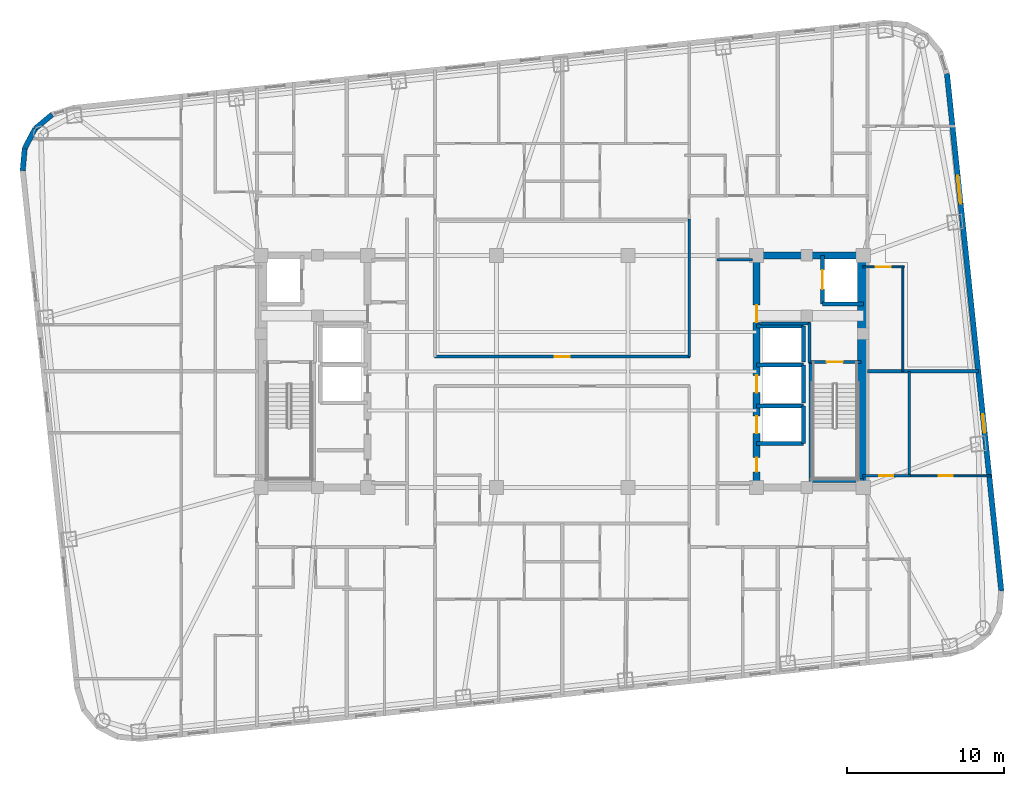
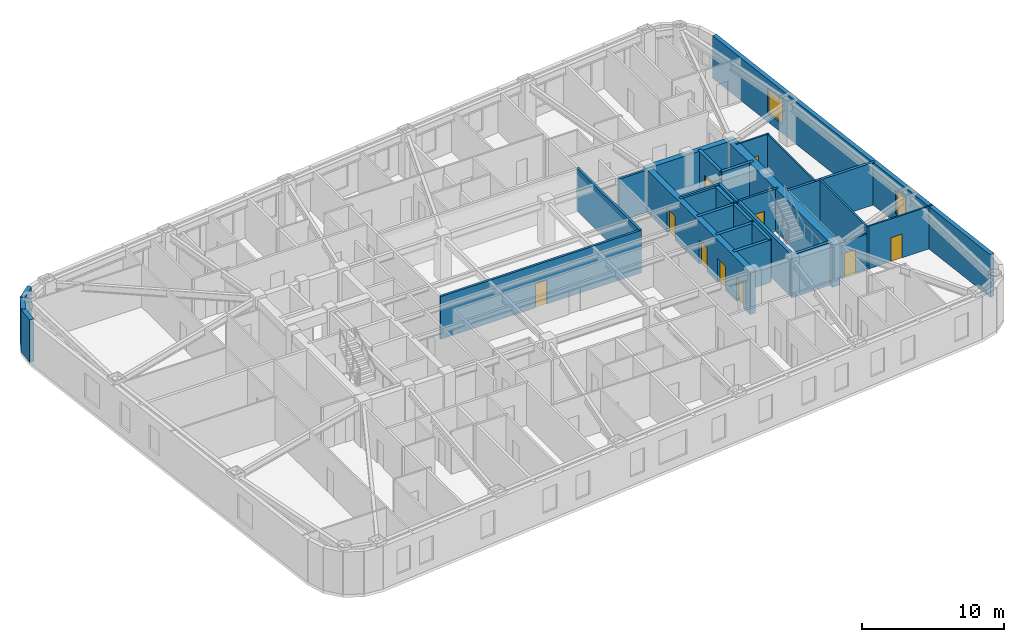
# One storey, part 6 of 11: 30 walls, 10 doors, 2 windows, 12 openings.
"""IFC4 building model written with IfcOpenShell, lengths in metres."""

import ifcopenshell
import ifcopenshell.guid

model = None  # the IFC model being written
_history = None  # IfcOwnerHistory: only IFC2X3 demands one
_inside = {}  # id of a spatial element -> (the spatial element, [elements in it])
_under = {}  # id of a project, library or spatial element -> (it, [spatial elements below it])
_declared = {}  # id of a project -> (the project, [libraries it declares])
_typed = {}  # id of a type object -> (the type object, [elements of that type])
_made_of = {}  # id of a material, layer set ... -> (it, [elements and type objects made of it])


def new_model(schema):
    """Start an empty IFC model of exactly this schema.

    Asked for "IFC4X3", IfcOpenShell would pick the latest addendum, in which some entities
    have other attributes; the version numbers below select the first issue.
    IFC2X3 requires an IfcOwnerHistory on every rooted entity: one is made here for all.
    """
    global model, _history
    if schema == "IFC4X3":
        model = ifcopenshell.file(schema_version=(4, 3, 0, 0))
    else:
        model = ifcopenshell.file(schema=schema)
    _inside.clear()
    _under.clear()
    _declared.clear()
    _typed.clear()
    _made_of.clear()
    _history = None
    if model.schema == "IFC2X3":
        org = make("IfcOrganization", Name="unknown")
        user = make(
            "IfcPersonAndOrganization",
            ThePerson=make("IfcPerson", FamilyName="unknown"),
            TheOrganization=org,
        )
        app = make(
            "IfcApplication",
            ApplicationDeveloper=org,
            Version="unknown",
            ApplicationFullName="unknown",
            ApplicationIdentifier="unknown",
        )
        _history = make(
            "IfcOwnerHistory",
            OwningUser=user,
            OwningApplication=app,
            ChangeAction="ADDED",
            CreationDate=0,
        )
    return model


def make(cls, **values):
    """One entity of the class cls with the attributes given. An attribute that is None is left unset."""
    return model.create_entity(
        cls, **{name: value for name, value in values.items() if value is not None}
    )


def rooted(cls, **values):
    """An entity with a GlobalId (a new one), such as an element, a storey or a relation."""
    return make(cls, GlobalId=ifcopenshell.guid.new(), OwnerHistory=_history, **values)


def si_unit(unit_type, name, prefix=None):
    """IfcSIUnit, for example si_unit("LENGTHUNIT", "METRE", prefix="MILLI")."""
    return make("IfcSIUnit", UnitType=unit_type, Prefix=prefix, Name=name)


def assignment(units):
    """IfcUnitAssignment: the units of a project."""
    return None if units is None else make("IfcUnitAssignment", Units=units)


def point(xyz):
    """IfcCartesianPoint."""
    return None if xyz is None else make("IfcCartesianPoint", Coordinates=xyz)


def direction(xyz):
    """IfcDirection."""
    return None if xyz is None else make("IfcDirection", DirectionRatios=xyz)


def frame(location, z_axis=None, x_axis=None):
    """IfcAxis2Placement3D, a coordinate frame: its origin and axes. An axis left out is left unset."""
    return make(
        "IfcAxis2Placement3D",
        Location=point(location),
        Axis=direction(z_axis),
        RefDirection=direction(x_axis),
    )


def frame_2d(location, x_axis=None):
    """IfcAxis2Placement2D, a coordinate frame in the plane: its origin and x axis."""
    return make(
        "IfcAxis2Placement2D", Location=point(location), RefDirection=direction(x_axis)
    )


def origin():
    """The frame at (0, 0, 0) with its axes left unset."""
    return frame((0.0, 0.0, 0.0))


def place(relative_to, where):
    """IfcLocalPlacement: puts the frame where relative to a parent placement (None: the world)."""
    return make(
        "IfcLocalPlacement", PlacementRelTo=relative_to, RelativePlacement=where
    )


def context(
    kind, dimensions, precision=None, world=None, true_north=None, identifier=None
):
    """IfcGeometricRepresentationContext, for example the 3D "Model" context."""
    return make(
        "IfcGeometricRepresentationContext",
        ContextIdentifier=identifier,
        ContextType=kind,
        CoordinateSpaceDimension=dimensions,
        Precision=precision,
        WorldCoordinateSystem=world,
        TrueNorth=true_north,
    )


def subcontext(parent, identifier, kind, view, scale=None):
    """IfcGeometricRepresentationSubContext, for example "Body" below "Model"."""
    return make(
        "IfcGeometricRepresentationSubContext",
        ContextIdentifier=identifier,
        ContextType=kind,
        ParentContext=parent,
        TargetScale=scale,
        TargetView=view,
    )


def project(units=None, contexts=None):
    """IfcProject with its units and contexts."""
    return rooted(
        "IfcProject",
        Name="project",
        RepresentationContexts=contexts,
        UnitsInContext=assignment(units),
    )


def spatial(cls, under=None, at=None, **own):
    """A site, building, storey or space (cls), placed at a placement, below another one or the project."""
    s = rooted(cls, ObjectPlacement=at, **own)
    if under is not None:
        _under.setdefault(under.id(), (under, []))[1].append(s)
    return s


def profile(cls, at=None, kind="AREA", **sizes):
    """A parametric profile (cls). Its sizes go by their IFC names, for example OverallWidth=200.0."""
    return make(cls, ProfileType=kind, Position=at, **sizes)


def rectangle(**sizes):
    """IfcRectangleProfileDef."""
    return profile("IfcRectangleProfileDef", **sizes)


def extrude(swept, where, along, depth):
    """IfcExtrudedAreaSolid: the profile swept, set in the frame where, extruded along a direction by depth."""
    return make(
        "IfcExtrudedAreaSolid",
        SweptArea=swept,
        Position=where,
        ExtrudedDirection=direction(along),
        Depth=depth,
    )


def shape(context_of_items, identifier, shape_type, items):
    """IfcShapeRepresentation: the items that make up one representation, for example the "Body"."""
    return make(
        "IfcShapeRepresentation",
        ContextOfItems=context_of_items,
        RepresentationIdentifier=identifier,
        RepresentationType=shape_type,
        Items=items,
    )


def material(Name=None, Category=None):
    """IfcMaterial."""
    return make("IfcMaterial", Name=Name, Category=Category)


def layer(
    of_material, thickness, ventilated=None, Name=None, Category=None, Priority=None
):
    """IfcMaterialLayer: one layer of a wall or slab, of a material (None: an air gap)."""
    return make(
        "IfcMaterialLayer",
        Material=of_material,
        LayerThickness=thickness,
        IsVentilated=ventilated,
        Name=Name,
        Category=Category,
        Priority=Priority,
    )


def layer_set(layers, Name=None):
    """IfcMaterialLayerSet."""
    return make("IfcMaterialLayerSet", MaterialLayers=layers, LayerSetName=Name)


def made_of(thing, what):
    """Note that an element or type object is made of a material, layer set ...; save() writes the relation."""
    if what is not None:
        _made_of.setdefault(what.id(), (what, []))[1].append(thing)
    return thing


def type_object(cls, material=None, **own):
    """A type object (cls), such as IfcWallType, which elements share."""
    return made_of(rooted(cls, **own), material)


def element(
    cls,
    number,
    at=None,
    inside=None,
    cuts=None,
    type_object=None,
    material=None,
    context=None,
    identifier="Body",
    shape_type=None,
    held_by="IfcProductDefinitionShape",
    body=None,
    shapes=None,
    **own,
):
    """One element of the class cls, such as IfcWall. Its Tag is "e" and its number.

    at: its placement. inside: the storey or other place that contains it. cuts: it is an
    opening in that element (IfcRelVoidsElement). A single representation is given by context,
    identifier, shape_type and body (its items); several are given by shapes. held_by: the class
    of the entity that holds the representations. save() writes the other relations.
    """
    e = rooted(cls, Tag="e%d" % number, ObjectPlacement=at, **own)
    if body is not None:
        shapes = [shape(context, identifier, shape_type, body)]
    if shapes is not None:
        e.Representation = make(held_by, Representations=shapes)
    if inside is not None:
        _inside.setdefault(inside.id(), (inside, []))[1].append(e)
    if cuts is not None:
        rooted(
            "IfcRelVoidsElement", RelatingBuildingElement=cuts, RelatedOpeningElement=e
        )
    if type_object is not None:
        _typed.setdefault(type_object.id(), (type_object, []))[1].append(e)
    return made_of(e, material)


def fill(opening, filler):
    """IfcRelFillsElement: the door or window that sits in an opening."""
    return rooted(
        "IfcRelFillsElement",
        RelatingOpeningElement=opening,
        RelatedBuildingElement=filler,
    )


def aggregate(whole, parts):
    """IfcRelAggregates: a whole, such as a stair, and the parts it consists of."""
    return rooted("IfcRelAggregates", RelatingObject=whole, RelatedObjects=parts)


def save(model, path):
    """Write the relations noted so far, then the file.

    IfcRelAggregates (storeys below a building ...), IfcRelContainedInSpatialStructure (elements
    in a storey), IfcRelDefinesByType, IfcRelAssociatesMaterial and IfcRelDeclares: one each for
    every whole, place, type object, material and project.
    """
    for whole, parts in _under.values():
        aggregate(whole, parts)
    for where, things in _inside.values():
        rooted(
            "IfcRelContainedInSpatialStructure",
            RelatedElements=things,
            RelatingStructure=where,
        )
    for kind, things in _typed.values():
        rooted("IfcRelDefinesByType", RelatedObjects=things, RelatingType=kind)
    for what, things in _made_of.values():
        rooted("IfcRelAssociatesMaterial", RelatedObjects=things, RelatingMaterial=what)
    for by, libraries in _declared.values():
        rooted("IfcRelDeclares", RelatingContext=by, RelatedDefinitions=libraries)
    model.write(path)


model = new_model("IFC4")

# Units and contexts
model_context = context("Model", 3, precision=1e-05, world=origin(), true_north=direction((0.0, 1.0)))
body_context = subcontext(model_context, "Body", "Model", "MODEL_VIEW")
ifc_project = project(units=[si_unit("LENGTHUNIT", "METRE"), si_unit("AREAUNIT", "SQUARE_METRE"), si_unit("VOLUMEUNIT", "CUBIC_METRE"), si_unit("PLANEANGLEUNIT", "RADIAN"), si_unit("MASSUNIT", "GRAM", prefix="KILO")], contexts=[model_context])

# Site, building, storey
site_placement = place(None, origin())
site = spatial("IfcSite", under=ifc_project, at=site_placement, CompositionType="ELEMENT")
building_placement = place(site_placement, origin())
building = spatial("IfcBuilding", under=site, at=building_placement, Name="Voryun Gate Residences", CompositionType="ELEMENT")
storey_placement = place(building_placement, frame((0.0, 0.0, 183.300048828125)))
storey = spatial("IfcBuildingStorey", under=building, at=storey_placement, Name="L45", CompositionType="ELEMENT", Elevation=183.300048828125)

# Wall
ifc_material_1 = material(Name="Concrete C50/60", Category="concrete")
ifc_layer_1 = layer(ifc_material_1, 0.449951171875, Name="CW_CORE_450")
ifc_layer_set_1 = layer_set([ifc_layer_1], Name="Concrete C50/60")
wall_type_1 = type_object("IfcWallType", Name="CW_CORE_450", PredefinedType="SHEAR", material=ifc_layer_set_1)
wall_1_placement = place(storey_placement, frame((12.175048828125, 7.39990234375, 0.0), z_axis=(0.0, 0.0, 1.0), x_axis=(1.0, 0.0, 0.0)))
element("IfcWall", 1, at=wall_1_placement, inside=storey, type_object=wall_type_1, Name="L45 Core shear wall CW-L45-EN", PredefinedType="SHEAR", context=body_context, shape_type="SweptSolid", body=[
    extrude(rectangle(XDim=7.25, YDim=0.449951171875, at=frame_2d((3.625, 0.0))), origin(), (0.0, 0.0, 1.0), 3.64990234375),
])

# Wall, openings, doors
wall_2_placement = place(storey_placement, frame((12.39990234375, -7.39990234375, 0.0), z_axis=(0.0, 0.0, 1.0), x_axis=(0.0, 1.0, 0.0)))
wall_2 = element("IfcWall", 2, at=wall_2_placement, inside=storey, type_object=wall_type_1, Name="L45 Core shear wall CW-L45-EW", PredefinedType="SHEAR", context=body_context, shape_type="SweptSolid", body=[
    extrude(rectangle(XDim=14.7998046875, YDim=0.449951171875, at=frame_2d((7.39990234375, 0.0))), origin(), (0.0, 0.0, 1.0), 3.64990234375),
])
opening_1_placement = place(wall_2_placement, frame((3.449951171875, 0.0, 0.0)))
opening_1 = element("IfcOpeningElement", 3, at=opening_1_placement, cuts=wall_2, Name="Opening LD2", PredefinedType="OPENING", context=body_context, shape_type="SweptSolid", body=[
    extrude(rectangle(XDim=1.10009765625, YDim=2.050048828125, at=frame_2d((0.550048828125, 1.02490234375))), frame((0.0, 0.235107421875, 0.0), z_axis=(0.0, -1.0, 0.0), x_axis=(1.0, 0.0, 0.0)), (0.0, 0.0, 1.0), 0.469970703125),
])
opening_2_placement = place(wall_2_placement, frame((6.050048828125, 0.0, 0.0)))
opening_2 = element("IfcOpeningElement", 4, at=opening_2_placement, cuts=wall_2, Name="Opening LD2", PredefinedType="OPENING", context=body_context, shape_type="SweptSolid", body=[
    extrude(rectangle(XDim=1.10009765625, YDim=2.050048828125, at=frame_2d((0.550048828125, 1.02490234375))), frame((0.0, 0.235107421875, 0.0), z_axis=(0.0, -1.0, 0.0), x_axis=(1.0, 0.0, 0.0)), (0.0, 0.0, 1.0), 0.469970703125),
])
opening_3_placement = place(wall_2_placement, frame((10.530029296875, 0.0, 0.0)))
opening_3 = element("IfcOpeningElement", 5, at=opening_3_placement, cuts=wall_2, Name="Opening D-FD60-2", PredefinedType="OPENING", context=body_context, shape_type="SweptSolid", body=[
    extrude(rectangle(XDim=1.10009765625, YDim=2.050048828125, at=frame_2d((0.550048828125, 1.02490234375))), frame((0.0, 0.235107421875, 0.0), z_axis=(0.0, -1.0, 0.0), x_axis=(1.0, 0.0, 0.0)), (0.0, 0.0, 1.0), 0.469970703125),
])
opening_4_placement = place(wall_2_placement, frame((1.0, 0.0, 0.0)))
opening_4 = element("IfcOpeningElement", 6, at=opening_4_placement, cuts=wall_2, Name="Opening D-FD60-4", PredefinedType="OPENING", context=body_context, shape_type="SweptSolid", body=[
    extrude(rectangle(XDim=0.89990234375, YDim=2.050048828125, at=frame_2d((0.449951171875, 1.02490234375))), frame((0.0, 0.235107421875, 0.0), z_axis=(0.0, -1.0, 0.0), x_axis=(1.0, 0.0, 0.0)), (0.0, 0.0, 1.0), 0.469970703125),
])
ifc_material_2 = material(Name="Painted steel fire door", Category="steel")
door_type_1 = type_object("IfcDoorType", Name="DR_FD60_FFLOB_1100", OperationType="NOTDEFINED", PredefinedType="DOOR", material=ifc_material_2)
door_1_placement = place(opening_3_placement, origin())
door_1 = element("IfcDoor", 7, at=door_1_placement, inside=storey, type_object=door_type_1, Name="Door DR-L45-CLOB-E", OperationType="SINGLE_SWING_RIGHT", OverallHeight=2.050048828125, OverallWidth=1.10009765625, PredefinedType="DOOR", context=body_context, shape_type="SweptSolid", body=[
    extrude(rectangle(XDim=1.10009765625, YDim=2.050048828125, at=frame_2d((0.550048828125, 1.02490234375))), frame((0.0, 0.02490234375, 0.0), z_axis=(0.0, -1.0, 0.0), x_axis=(1.0, 0.0, 0.0)), (0.0, 0.0, 1.0), 0.050048828125),
])
fill(opening_3, door_1)
ifc_material_3 = material(Name="Painted steel fire door", Category="steel")
door_type_2 = type_object("IfcDoorType", Name="DR_FD60_RISER_900", OperationType="NOTDEFINED", PredefinedType="DOOR", material=ifc_material_3)
door_2_placement = place(opening_4_placement, origin())
door_2 = element("IfcDoor", 8, at=door_2_placement, inside=storey, type_object=door_type_2, Name="Door DR-L45-RECE1", OperationType="SINGLE_SWING_RIGHT", OverallHeight=2.050048828125, OverallWidth=0.89990234375, PredefinedType="DOOR", context=body_context, shape_type="SweptSolid", body=[
    extrude(rectangle(XDim=0.89990234375, YDim=2.050048828125, at=frame_2d((0.449951171875, 1.02490234375))), frame((0.0, 0.02490234375, 0.0), z_axis=(0.0, -1.0, 0.0), x_axis=(1.0, 0.0, 0.0)), (0.0, 0.0, 1.0), 0.050048828125),
])
fill(opening_4, door_2)
ifc_material_4 = material(Name="Anodised aluminium", Category="aluminium")
door_type_3 = type_object("IfcDoorType", Name="DR_LD_PASS_1100", OperationType="NOTDEFINED", PredefinedType="DOOR", material=ifc_material_4)
door_3_placement = place(opening_1_placement, origin())
door_3 = element("IfcDoor", 9, at=door_3_placement, inside=storey, type_object=door_type_3, Name="Lift EL-P5 sliding landing door L45", OperationType="SLIDING_TO_LEFT", OverallHeight=2.050048828125, OverallWidth=1.10009765625, PredefinedType="DOOR", context=body_context, shape_type="SweptSolid", body=[
    extrude(rectangle(XDim=1.10009765625, YDim=2.050048828125, at=frame_2d((0.550048828125, 1.02490234375))), frame((0.0, 0.02490234375, 0.0), z_axis=(0.0, -1.0, 0.0), x_axis=(1.0, 0.0, 0.0)), (0.0, 0.0, 1.0), 0.050048828125),
])
fill(opening_1, door_3)
door_4_placement = place(opening_2_placement, origin())
door_4 = element("IfcDoor", 10, at=door_4_placement, inside=storey, type_object=door_type_3, Name="Lift EL-P6 sliding landing door L45", OperationType="SLIDING_TO_LEFT", OverallHeight=2.050048828125, OverallWidth=1.10009765625, PredefinedType="DOOR", context=body_context, shape_type="SweptSolid", body=[
    extrude(rectangle(XDim=1.10009765625, YDim=2.050048828125, at=frame_2d((0.550048828125, 1.02490234375))), frame((0.0, 0.02490234375, 0.0), z_axis=(0.0, -1.0, 0.0), x_axis=(1.0, 0.0, 0.0)), (0.0, 0.0, 1.0), 0.050048828125),
])
fill(opening_2, door_4)

# Wall
ifc_material_5 = material(Name="Concrete C60/75", Category="concrete")
ifc_layer_2 = layer(ifc_material_5, 0.64990234375, Name="CW_CORE_650")
ifc_layer_set_2 = layer_set([ifc_layer_2], Name="Concrete C60/75")
wall_type_2 = type_object("IfcWallType", Name="CW_CORE_650", PredefinedType="SHEAR", material=ifc_layer_set_2)
wall_3_placement = place(storey_placement, frame((19.14501953125, -7.39990234375, 0.0), z_axis=(0.0, 0.0, 1.0), x_axis=(0.0, 1.0, 0.0)))
element("IfcWall", 11, at=wall_3_placement, inside=storey, type_object=wall_type_2, Name="L45 Core shear wall CW-L45-EE", PredefinedType="SHEAR", context=body_context, shape_type="SweptSolid", body=[
    extrude(rectangle(XDim=14.7998046875, YDim=0.64990234375, at=frame_2d((7.39990234375, 0.0))), origin(), (0.0, 0.0, 1.0), 3.64990234375),
])

# Wall, opening, door
ifc_material_6 = material(Name="Gypsum acoustic fireboard")
ifc_layer_3 = layer(ifc_material_6, 0.179931640625, Name="W_CORR_RATED_180")
ifc_layer_set_3 = layer_set([ifc_layer_3], Name="Gypsum acoustic fireboard")
wall_type_3 = type_object("IfcWallType", Name="W_CORR_RATED_180", PredefinedType="PARTITIONING", material=ifc_layer_set_3)
wall_4_placement = place(storey_placement, frame((15.699951171875, 0.60009765625, 0.0), z_axis=(0.0, 0.0, 1.0), x_axis=(1.0, 0.0, 0.0)))
wall_4 = element("IfcWall", 12, at=wall_4_placement, inside=storey, type_object=wall_type_3, Name="Partition wall WP-L45-STV-E", PredefinedType="PARTITIONING", context=body_context, shape_type="SweptSolid", body=[
    extrude(rectangle(XDim=3.360107421875, YDim=0.179931640625, at=frame_2d((1.68017578125, 0.0))), origin(), (0.0, 0.0, 1.0), 3.64990234375),
])
opening_5_placement = place(wall_4_placement, frame((1.155029296875, 0.0, 0.0)))
opening_5 = element("IfcOpeningElement", 13, at=opening_5_placement, cuts=wall_4, Name="Opening D-FD60-1", PredefinedType="OPENING", context=body_context, shape_type="SweptSolid", body=[
    extrude(rectangle(XDim=1.050048828125, YDim=2.050048828125, at=frame_2d((0.52490234375, 1.02490234375))), frame((0.0, 0.099853515625, 0.0), z_axis=(0.0, -1.0, 0.0), x_axis=(1.0, 0.0, 0.0)), (0.0, 0.0, 1.0), 0.199951171875),
])
ifc_material_7 = material(Name="Painted steel fire door", Category="steel")
door_type_4 = type_object("IfcDoorType", Name="DR_FD60_STAIR_1050", OperationType="NOTDEFINED", PredefinedType="DOOR", material=ifc_material_7)
door_5_placement = place(opening_5_placement, origin())
door_5 = element("IfcDoor", 14, at=door_5_placement, inside=storey, type_object=door_type_4, Name="Door DR-L45-ST-E", OperationType="SINGLE_SWING_RIGHT", OverallHeight=2.050048828125, OverallWidth=1.050048828125, PredefinedType="DOOR", context=body_context, shape_type="SweptSolid", body=[
    extrude(rectangle(XDim=1.050048828125, YDim=2.050048828125, at=frame_2d((0.52490234375, 1.02490234375))), frame((0.0, 0.02490234375, 0.0), z_axis=(0.0, -1.0, 0.0), x_axis=(1.0, 0.0, 0.0)), (0.0, 0.0, 1.0), 0.050048828125),
])
fill(opening_5, door_5)

# Wall
wall_5_placement = place(storey_placement, frame((9.8798828125, 7.1201171875, 0.0), z_axis=(0.0, 0.0, 1.0), x_axis=(1.0, 0.0, 0.0)))
element("IfcWall", 15, at=wall_5_placement, inside=storey, type_object=wall_type_3, Name="Partition wall WP-L45-PLBN-E", PredefinedType="PARTITIONING", context=body_context, shape_type="SweptSolid", body=[
    extrude(rectangle(XDim=2.27001953125, YDim=0.179931640625, at=frame_2d((1.135009765625, 0.0))), origin(), (0.0, 0.0, 1.0), 3.64990234375),
])

# Wall, opening, door
wall_6_placement = place(storey_placement, frame((-8.14990234375, 0.93994140625, 0.0), z_axis=(0.0, 0.0, 1.0), x_axis=(1.0, 0.0, 0.0)))
wall_6 = element("IfcWall", 16, at=wall_6_placement, inside=storey, type_object=wall_type_3, Name="Partition wall WP-L45-Z2HN", PredefinedType="PARTITIONING", context=body_context, shape_type="SweptSolid", body=[
    extrude(rectangle(XDim=16.2998046875, YDim=0.179931640625, at=frame_2d((8.14990234375, 0.0))), origin(), (0.0, 0.0, 1.0), 3.64990234375),
])
opening_6_placement = place(wall_6_placement, frame((7.675048828125, 0.0, 0.0)))
opening_6 = element("IfcOpeningElement", 17, at=opening_6_placement, cuts=wall_6, Name="Opening D-INT-1", PredefinedType="OPENING", context=body_context, shape_type="SweptSolid", body=[
    extrude(rectangle(XDim=0.949951171875, YDim=2.050048828125, at=frame_2d((0.47509765625, 1.02490234375))), frame((0.0, 0.099853515625, 0.0), z_axis=(0.0, -1.0, 0.0), x_axis=(1.0, 0.0, 0.0)), (0.0, 0.0, 1.0), 0.199951171875),
])
ifc_material_8 = material(Name="Architectural oak veneer")
door_type_5 = type_object("IfcDoorType", Name="DR_INT_ROOM_950", OperationType="NOTDEFINED", PredefinedType="DOOR", material=ifc_material_8)
door_6_placement = place(opening_6_placement, origin())
door_6 = element("IfcDoor", 18, at=door_6_placement, inside=storey, type_object=door_type_5, Name="Door DR-L45-Z2NH", OperationType="SINGLE_SWING_LEFT", OverallHeight=2.050048828125, OverallWidth=0.949951171875, PredefinedType="DOOR", context=body_context, shape_type="SweptSolid", body=[
    extrude(rectangle(XDim=0.949951171875, YDim=2.050048828125, at=frame_2d((0.47509765625, 1.02490234375))), frame((0.0, 0.02490234375, 0.0), z_axis=(0.0, -1.0, 0.0), x_axis=(1.0, 0.0, 0.0)), (0.0, 0.0, 1.0), 0.050048828125),
])
fill(opening_6, door_6)

# Walls
wall_7_placement = place(storey_placement, frame((8.10009765625, 0.919921875, 0.0), z_axis=(0.0, 0.0, 1.0), x_axis=(0.0, 1.0, 0.0)))
element("IfcWall", 19, at=wall_7_placement, inside=storey, type_object=wall_type_3, Name="Partition wall WP-L45-Z2ER1", PredefinedType="PARTITIONING", context=body_context, shape_type="SweptSolid", body=[
    extrude(rectangle(XDim=8.81005859375, YDim=0.179931640625, at=frame_2d((4.405029296875, 0.0))), origin(), (0.0, 0.0, 1.0), 3.64990234375),
])
ifc_material_9 = material(Name="Charcoal terracotta masonry", Category="masonry")
ifc_layer_4 = layer(ifc_material_9, 0.340087890625, Name="W_EXT_TERRACOTTA_340")
ifc_layer_set_4 = layer_set([ifc_layer_4], Name="Charcoal terracotta masonry")
wall_type_4 = type_object("IfcWallType", Name="W_EXT_TERRACOTTA_340", PredefinedType="ELEMENTEDWALL", material=ifc_layer_set_4)
wall_8_placement = place(storey_placement, frame((-34.401123046875, 12.795166015625, 0.0), z_axis=(0.0, 0.0, 1.0), x_axis=(0.091534682358, 0.995801888894, 0.0)))
element("IfcWall", 20, at=wall_8_placement, inside=storey, type_object=wall_type_4, Name="Exterior wall WEXT-L45-07", PredefinedType="ELEMENTEDWALL", context=body_context, shape_type="SweptSolid", body=[
    extrude(rectangle(XDim=1.432373046875, YDim=0.340087890625, at=frame_2d((0.71630859375, 0.0))), origin(), (0.0, 0.0, 1.0), 3.64990234375),
])
for number, where, z_axis, x_axis, name in (
    (21, (-34.27001953125, 14.221435546875, 0.0), (0.0, 0.0, 1.0), (0.465682431293, 0.884951904447, 0.0), "Exterior wall WEXT-L45-08"),
    (22, (-33.611083984375, 15.4736328125, 0.0), (0.0, 0.0, 1.0), (0.768843196093, 0.639437361921, 0.0), "Exterior wall WEXT-L45-09"),
):
    element("IfcWall", number, at=place(storey_placement, frame(where, z_axis=z_axis, x_axis=x_axis)), inside=storey, type_object=wall_type_4, Name=name, PredefinedType="ELEMENTEDWALL", context=body_context, shape_type="SweptSolid", body=[
        extrude(rectangle(XDim=1.4150390625, YDim=0.340087890625, at=frame_2d((0.70751953125, 0.0))), origin(), (0.0, 0.0, 1.0), 3.64990234375),
    ])

# Wall, openings, windows
wall_9_placement = place(storey_placement, frame((24.5341796875, 18.989501953125, 0.0), z_axis=(0.0, 0.0, 1.0), x_axis=(0.104534959766, -0.994521212537, 0.0)))
wall_9 = element("IfcWall", 23, at=wall_9_placement, inside=storey, type_object=wall_type_4, Name="Exterior wall WEXT-L45-16", PredefinedType="ELEMENTEDWALL", context=body_context, shape_type="SweptSolid", body=[
    extrude(rectangle(XDim=33.166259765625, YDim=0.340087890625, at=frame_2d((16.5830078125, 0.0))), origin(), (0.0, 0.0, 1.0), 3.64990234375),
])
opening_7_placement = place(wall_9_placement, frame((6.54150390625, 0.0, 0.75)))
opening_7 = element("IfcOpeningElement", 24, at=opening_7_placement, cuts=wall_9, Name="Opening WN1", PredefinedType="OPENING", context=body_context, shape_type="SweptSolid", body=[
    extrude(rectangle(XDim=1.800048828125, YDim=2.10009765625, at=frame_2d((0.89990234375, 1.050048828125))), frame((0.0, 0.179931640625, 0.0), z_axis=(0.0, -1.0, 0.0), x_axis=(1.0, 0.0, 0.0)), (0.0, 0.0, 1.0), 0.360107421875),
])
opening_8_placement = place(wall_9_placement, frame((21.840087890625, 0.0, 0.75)))
opening_8 = element("IfcOpeningElement", 25, at=opening_8_placement, cuts=wall_9, Name="Opening WN6", PredefinedType="OPENING", context=body_context, shape_type="SweptSolid", body=[
    extrude(rectangle(XDim=1.199951171875, YDim=2.050048828125, at=frame_2d((0.60009765625, 1.02490234375))), frame((0.0, 0.179931640625, 0.0), z_axis=(0.0, -1.0, 0.0), x_axis=(1.0, 0.0, 0.0)), (0.0, 0.0, 1.0), 0.360107421875),
])
ifc_material_10 = material(Name="Laminated low-E glass", Category="glass")
window_type_1 = type_object("IfcWindowType", Name="WN_POD_SLOT_1200", PartitioningType="SINGLE_PANEL", PredefinedType="WINDOW", material=ifc_material_10)
window_1_placement = place(opening_8_placement, origin())
window_1 = element("IfcWindow", 26, at=window_1_placement, inside=storey, type_object=window_type_1, Name="Window WN-L45-DWFIX-27", OverallHeight=2.050048828125, OverallWidth=1.199951171875, PartitioningType="SINGLE_PANEL", PredefinedType="WINDOW", context=body_context, shape_type="SweptSolid", body=[
    extrude(rectangle(XDim=1.199951171875, YDim=2.050048828125, at=frame_2d((0.60009765625, 1.02490234375))), frame((0.0, 0.030029296875, 0.0), z_axis=(0.0, -1.0, 0.0), x_axis=(1.0, 0.0, 0.0)), (0.0, 0.0, 1.0), 0.06005859375),
])
fill(opening_8, window_1)
ifc_material_11 = material(Name="Laminated low-E glass", Category="glass")
window_type_2 = type_object("IfcWindowType", Name="WN_RES_PUNCH_1800", PartitioningType="SINGLE_PANEL", PredefinedType="WINDOW", material=ifc_material_11)
window_2_placement = place(opening_7_placement, origin())
window_2 = element("IfcWindow", 27, at=window_2_placement, inside=storey, type_object=window_type_2, Name="Window WN-WEXT-L45-16-01", OverallHeight=2.10009765625, OverallWidth=1.800048828125, PartitioningType="SINGLE_PANEL", PredefinedType="WINDOW", context=body_context, shape_type="SweptSolid", body=[
    extrude(rectangle(XDim=1.800048828125, YDim=2.10009765625, at=frame_2d((0.89990234375, 1.050048828125))), frame((0.0, 0.030029296875, 0.0), z_axis=(0.0, -1.0, 0.0), x_axis=(1.0, 0.0, 0.0)), (0.0, 0.0, 1.0), 0.06005859375),
])
fill(opening_7, window_2)

# Walls
ifc_material_12 = material(Name="Concrete C40/50", Category="concrete")
ifc_layer_5 = layer(ifc_material_12, 0.199951171875, Name="W_FF_LOBBY_200")
ifc_layer_set_5 = layer_set([ifc_layer_5], Name="Concrete C40/50")
wall_type_5 = type_object("IfcWallType", Name="W_FF_LOBBY_200", PredefinedType="PARTITIONING", material=ifc_layer_set_5)
wall_10_placement = place(storey_placement, frame((15.760009765625, 0.580078125, 0.0), z_axis=(0.0, 0.0, 1.0), x_axis=(0.0, 1.0, 0.0)))
element("IfcWall", 28, at=wall_10_placement, inside=storey, type_object=wall_type_5, Name="Partition wall WP-L45-FFP0-E", PredefinedType="PARTITIONING", context=body_context, shape_type="SweptSolid", body=[
    extrude(rectangle(XDim=2.52001953125, YDim=0.199951171875, at=frame_2d((1.260009765625, 0.0))), origin(), (0.0, 0.0, 1.0), 3.64990234375),
])
wall_11_placement = place(storey_placement, frame((12.659912109375, 3.06005859375, 0.0), z_axis=(0.0, 0.0, 1.0), x_axis=(1.0, 0.0, 0.0)))
element("IfcWall", 29, at=wall_11_placement, inside=storey, type_object=wall_type_5, Name="Partition wall WP-L45-FFPS-E", PredefinedType="PARTITIONING", context=body_context, shape_type="SweptSolid", body=[
    extrude(rectangle(XDim=3.16015625, YDim=0.199951171875, at=frame_2d((1.580078125, 0.0))), origin(), (0.0, 0.0, 1.0), 3.64990234375),
])
ifc_material_13 = material(Name="Concrete C40/50", Category="concrete")
ifc_layer_6 = layer(ifc_material_13, 0.219970703125, Name="W_PARTY_ACOUSTIC_220")
ifc_layer_set_6 = layer_set([ifc_layer_6], Name="Concrete C40/50")
wall_type_6 = type_object("IfcWallType", Name="W_PARTY_ACOUSTIC_220", PredefinedType="PARTITIONING", material=ifc_layer_set_6)
wall_12_placement = place(storey_placement, frame((19.469970703125, 0.0, 0.0), z_axis=(0.0, 0.0, 1.0), x_axis=(1.0, 0.0, 0.0)))
element("IfcWall", 30, at=wall_12_placement, inside=storey, type_object=wall_type_6, Name="Partition wall WP-L45-EPTY", PredefinedType="PARTITIONING", context=body_context, shape_type="SweptSolid", body=[
    extrude(rectangle(XDim=7.06005859375, YDim=0.219970703125, at=frame_2d((3.530029296875, 0.0))), origin(), (0.0, 0.0, 1.0), 3.64990234375),
])
ifc_material_14 = material(Name="Concrete C50/60", Category="concrete")
ifc_layer_7 = layer(ifc_material_14, 0.25, Name="W_SHAFT_RC250")
ifc_layer_set_7 = layer_set([ifc_layer_7], Name="Concrete C50/60")
wall_type_7 = type_object("IfcWallType", Name="W_SHAFT_RC250", PredefinedType="SOLIDWALL", material=ifc_layer_set_7)
wall_13_placement = place(storey_placement, frame((15.860107421875, -7.0849609375, 0.0), z_axis=(0.0, 0.0, 1.0), x_axis=(0.0, 1.0, 0.0)))
element("IfcWall", 31, at=wall_13_placement, inside=storey, type_object=wall_type_7, Name="L45 Stair shaft structural wall E-STL", PredefinedType="SOLIDWALL", context=body_context, shape_type="SweptSolid", body=[
    extrude(rectangle(XDim=7.68505859375, YDim=0.25, at=frame_2d((3.842529296875, 0.0))), origin(), (0.0, 0.0, 1.0), 3.64990234375),
])
wall_14_placement = place(storey_placement, frame((15.739990234375, -6.965087890625, 0.0), z_axis=(0.0, 0.0, 1.0), x_axis=(1.0, 0.0, 0.0)))
element("IfcWall", 32, at=wall_14_placement, inside=storey, type_object=wall_type_7, Name="L45 Stair shaft structural wall E-STS", PredefinedType="SOLIDWALL", context=body_context, shape_type="SweptSolid", body=[
    extrude(rectangle(XDim=3.4599609375, YDim=0.25, at=frame_2d((1.72998046875, 0.0))), origin(), (0.0, 0.0, 1.0), 3.64990234375),
])
wall_15_placement = place(storey_placement, frame((16.60009765625, 4.300048828125, 0.0), z_axis=(0.0, 0.0, 1.0), x_axis=(1.0, 0.0, 0.0)))
element("IfcWall", 33, at=wall_15_placement, inside=storey, type_object=wall_type_7, Name="Lift shaft wall WSH-L45-EL-FF-E1-S", PredefinedType="SOLIDWALL", context=body_context, shape_type="SweptSolid", body=[
    extrude(rectangle(XDim=2.599853515625, YDim=0.25, at=frame_2d((1.2998046875, 0.0))), origin(), (0.0, 0.0, 1.0), 3.64990234375),
])

# Wall, opening, door
wall_16_placement = place(storey_placement, frame((16.60009765625, 7.39990234375, 0.0), z_axis=(0.0, 0.0, 1.0), x_axis=(0.0, -1.0, 0.0)))
wall_16 = element("IfcWall", 34, at=wall_16_placement, inside=storey, type_object=wall_type_7, Name="Lift shaft wall WSH-L45-EL-FF-E1-W", PredefinedType="SOLIDWALL", context=body_context, shape_type="SweptSolid", body=[
    extrude(rectangle(XDim=3.099853515625, YDim=0.25, at=frame_2d((1.5498046875, 0.0))), origin(), (0.0, 0.0, 1.0), 3.64990234375),
])
opening_9_placement = place(wall_16_placement, frame((0.949951171875, 0.0, 0.0)))
opening_9 = element("IfcOpeningElement", 35, at=opening_9_placement, cuts=wall_16, Name="Opening LD1", PredefinedType="OPENING", context=body_context, shape_type="SweptSolid", body=[
    extrude(rectangle(XDim=1.199951171875, YDim=2.050048828125, at=frame_2d((0.60009765625, 1.02490234375))), frame((0.0, 0.135009765625, 0.0), z_axis=(0.0, -1.0, 0.0), x_axis=(1.0, 0.0, 0.0)), (0.0, 0.0, 1.0), 0.27001953125),
])
ifc_material_15 = material(Name="Anodised aluminium", Category="aluminium")
door_type_6 = type_object("IfcDoorType", Name="DR_LD_FF_1200", OperationType="NOTDEFINED", PredefinedType="DOOR", material=ifc_material_15)
door_7_placement = place(opening_9_placement, origin())
door_7 = element("IfcDoor", 36, at=door_7_placement, inside=storey, type_object=door_type_6, Name="Lift EL-FF-E1 sliding landing door L45", OperationType="SLIDING_TO_LEFT", OverallHeight=2.050048828125, OverallWidth=1.199951171875, PredefinedType="DOOR", context=body_context, shape_type="SweptSolid", body=[
    extrude(rectangle(XDim=1.199951171875, YDim=2.050048828125, at=frame_2d((0.60009765625, 1.02490234375))), frame((0.0, 0.02490234375, 0.0), z_axis=(0.0, -1.0, 0.0), x_axis=(1.0, 0.0, 0.0)), (0.0, 0.0, 1.0), 0.050048828125),
])
fill(opening_9, door_7)

# Walls
wall_17_placement = place(storey_placement, frame((12.39990234375, -4.60009765625, 0.0), z_axis=(0.0, 0.0, 1.0), x_axis=(1.0, 0.0, 0.0)))
element("IfcWall", 37, at=wall_17_placement, inside=storey, type_object=wall_type_7, Name="Lift shaft wall WSH-L45-EL-P5-S", PredefinedType="SOLIDWALL", context=body_context, shape_type="SweptSolid", body=[
    extrude(rectangle(XDim=3.0, YDim=0.25, at=frame_2d((1.5, 0.0))), origin(), (0.0, 0.0, 1.0), 3.64990234375),
])
wall_18_placement = place(storey_placement, frame((15.39990234375, -4.60009765625, 0.0), z_axis=(0.0, 0.0, 1.0), x_axis=(0.0, 1.0, 0.0)))
element("IfcWall", 38, at=wall_18_placement, inside=storey, type_object=wall_type_7, Name="Lift shaft wall WSH-L45-EL-P5-E", PredefinedType="SOLIDWALL", context=body_context, shape_type="SweptSolid", body=[
    extrude(rectangle(XDim=2.400146484375, YDim=0.25, at=frame_2d((1.2001953125, 0.0))), origin(), (0.0, 0.0, 1.0), 3.64990234375),
])
wall_19_placement = place(storey_placement, frame((15.39990234375, -2.199951171875, 0.0), z_axis=(0.0, 0.0, 1.0), x_axis=(-1.0, 0.0, 0.0)))
element("IfcWall", 39, at=wall_19_placement, inside=storey, type_object=wall_type_7, Name="Lift shaft wall WSH-L45-EL-P5-N", PredefinedType="SOLIDWALL", context=body_context, shape_type="SweptSolid", body=[
    extrude(rectangle(XDim=3.0, YDim=0.25, at=frame_2d((1.5, 0.0))), origin(), (0.0, 0.0, 1.0), 3.64990234375),
])
wall_20_placement = place(storey_placement, frame((15.39990234375, -2.0, 0.0), z_axis=(0.0, 0.0, 1.0), x_axis=(0.0, 1.0, 0.0)))
element("IfcWall", 40, at=wall_20_placement, inside=storey, type_object=wall_type_7, Name="Lift shaft wall WSH-L45-EL-P6-E", PredefinedType="SOLIDWALL", context=body_context, shape_type="SweptSolid", body=[
    extrude(rectangle(XDim=2.39990234375, YDim=0.25, at=frame_2d((1.199951171875, 0.0))), origin(), (0.0, 0.0, 1.0), 3.64990234375),
])
wall_21_placement = place(storey_placement, frame((15.39990234375, 0.39990234375, 0.0), z_axis=(0.0, 0.0, 1.0), x_axis=(-1.0, 0.0, 0.0)))
element("IfcWall", 41, at=wall_21_placement, inside=storey, type_object=wall_type_7, Name="Lift shaft wall WSH-L45-EL-P6-N", PredefinedType="SOLIDWALL", context=body_context, shape_type="SweptSolid", body=[
    extrude(rectangle(XDim=3.0, YDim=0.25, at=frame_2d((1.5, 0.0))), origin(), (0.0, 0.0, 1.0), 3.64990234375),
])
wall_22_placement = place(storey_placement, frame((15.39990234375, 0.60009765625, 0.0), z_axis=(0.0, 0.0, 1.0), x_axis=(0.0, 1.0, 0.0)))
element("IfcWall", 42, at=wall_22_placement, inside=storey, type_object=wall_type_7, Name="Lift shaft wall WSH-L45-EL-P8-E", PredefinedType="SOLIDWALL", context=body_context, shape_type="SweptSolid", body=[
    extrude(rectangle(XDim=2.2998046875, YDim=0.25, at=frame_2d((1.14990234375, 0.0))), origin(), (0.0, 0.0, 1.0), 3.64990234375),
])
wall_23_placement = place(storey_placement, frame((15.39990234375, 2.89990234375, 0.0), z_axis=(0.0, 0.0, 1.0), x_axis=(-1.0, 0.0, 0.0)))
element("IfcWall", 43, at=wall_23_placement, inside=storey, type_object=wall_type_7, Name="Lift shaft wall WSH-L45-EL-P8-N", PredefinedType="SOLIDWALL", context=body_context, shape_type="SweptSolid", body=[
    extrude(rectangle(XDim=3.0, YDim=0.25, at=frame_2d((1.5, 0.0))), origin(), (0.0, 0.0, 1.0), 3.64990234375),
])

# Wall, opening, door
ifc_material_16 = material(Name="Gypsum acoustic partition")
ifc_layer_8 = layer(ifc_material_16, 0.125, Name="W_UNIT_PART_125")
ifc_layer_set_8 = layer_set([ifc_layer_8], Name="Gypsum acoustic partition")
wall_type_8 = type_object("IfcWallType", Name="W_UNIT_PART_125", PredefinedType="PARTITIONING", material=ifc_layer_set_8)
wall_24_placement = place(storey_placement, frame((22.06005859375, -6.659912109375, 0.0), z_axis=(0.0, 0.0, 1.0), x_axis=(1.0, 0.0, 0.0)))
wall_24 = element("IfcWall", 44, at=wall_24_placement, inside=storey, type_object=wall_type_8, Name="Partition wall WP-L45-E1-OHZ", PredefinedType="PARTITIONING", context=body_context, shape_type="SweptSolid", body=[
    extrude(rectangle(XDim=5.321044921875, YDim=0.125, at=frame_2d((2.66064453125, 0.0))), origin(), (0.0, 0.0, 1.0), 3.64990234375),
])
opening_10_placement = place(wall_24_placement, frame((1.944580078125, 0.0, 0.0)))
opening_10 = element("IfcOpeningElement", 45, at=opening_10_placement, cuts=wall_24, Name="Opening D-INT-2", PredefinedType="OPENING", context=body_context, shape_type="SweptSolid", body=[
    extrude(rectangle(XDim=0.89990234375, YDim=2.050048828125, at=frame_2d((0.449951171875, 1.02490234375))), frame((0.0, 0.072509765625, 0.0), z_axis=(0.0, -1.0, 0.0), x_axis=(1.0, 0.0, 0.0)), (0.0, 0.0, 1.0), 0.14501953125),
])
ifc_material_17 = material(Name="Architectural oak veneer")
door_type_7 = type_object("IfcDoorType", Name="DR_INT_BATH_900", OperationType="NOTDEFINED", PredefinedType="DOOR", material=ifc_material_17)
door_8_placement = place(opening_10_placement, origin())
door_8 = element("IfcDoor", 46, at=door_8_placement, inside=storey, type_object=door_type_7, Name="Door DR-L45-E1-DMB", OperationType="SINGLE_SWING_LEFT", OverallHeight=2.050048828125, OverallWidth=0.89990234375, PredefinedType="DOOR", context=body_context, shape_type="SweptSolid", body=[
    extrude(rectangle(XDim=0.89990234375, YDim=2.050048828125, at=frame_2d((0.449951171875, 1.02490234375))), frame((0.0, 0.02490234375, 0.0), z_axis=(0.0, -1.0, 0.0), x_axis=(1.0, 0.0, 0.0)), (0.0, 0.0, 1.0), 0.050048828125),
])
fill(opening_10, door_8)

wall_25_placement = place(storey_placement, frame((19.14990234375, 6.659912109375, 0.0), z_axis=(0.0, 0.0, 1.0), x_axis=(1.0, 0.0, 0.0)))
wall_25 = element("IfcWall", 47, at=wall_25_placement, inside=storey, type_object=wall_type_8, Name="Partition wall WP-L45-E2-IKA", PredefinedType="PARTITIONING", context=body_context, shape_type="SweptSolid", body=[
    extrude(rectangle(XDim=2.6591796875, YDim=0.125, at=frame_2d((1.32958984375, 0.0))), origin(), (0.0, 0.0, 1.0), 3.64990234375),
])
opening_11_placement = place(wall_25_placement, frame((0.8544921875, 0.0, 0.0)))
opening_11 = element("IfcOpeningElement", 48, at=opening_11_placement, cuts=wall_25, Name="Opening D-INT-1", PredefinedType="OPENING", context=body_context, shape_type="SweptSolid", body=[
    extrude(rectangle(XDim=0.949951171875, YDim=2.050048828125, at=frame_2d((0.47509765625, 1.02490234375))), frame((0.0, 0.072509765625, 0.0), z_axis=(0.0, -1.0, 0.0), x_axis=(1.0, 0.0, 0.0)), (0.0, 0.0, 1.0), 0.14501953125),
])
door_9_placement = place(opening_11_placement, origin())
door_9 = element("IfcDoor", 49, at=door_9_placement, inside=storey, type_object=door_type_5, Name="Door DR-L45-E2-DK", OperationType="SINGLE_SWING_LEFT", OverallHeight=2.050048828125, OverallWidth=0.949951171875, PredefinedType="DOOR", context=body_context, shape_type="SweptSolid", body=[
    extrude(rectangle(XDim=0.949951171875, YDim=2.050048828125, at=frame_2d((0.47509765625, 1.02490234375))), frame((0.0, 0.02490234375, 0.0), z_axis=(0.0, -1.0, 0.0), x_axis=(1.0, 0.0, 0.0)), (0.0, 0.0, 1.0), 0.050048828125),
])
fill(opening_11, door_9)

# Wall
wall_26_placement = place(storey_placement, frame((21.72900390625, 0.02001953125, 0.0), z_axis=(0.0, 0.0, 1.0), x_axis=(0.0, 1.0, 0.0)))
element("IfcWall", 50, at=wall_26_placement, inside=storey, type_object=wall_type_8, Name="Partition wall WP-L45-E2-VTA", PredefinedType="PARTITIONING", context=body_context, shape_type="SweptSolid", body=[
    extrude(rectangle(XDim=6.719970703125, YDim=0.125, at=frame_2d((3.35986328125, 0.0))), origin(), (0.0, 0.0, 1.0), 3.64990234375),
])

# Wall, opening, door
ifc_material_18 = material(Name="Gypsum moisture-resistant partition")
ifc_layer_9 = layer(ifc_material_18, 0.14990234375, Name="W_WET_PLUMB_150")
ifc_layer_set_9 = layer_set([ifc_layer_9], Name="Gypsum moisture-resistant partition")
wall_type_9 = type_object("IfcWallType", Name="W_WET_PLUMB_150", PredefinedType="PLUMBINGWALL", material=ifc_layer_set_9)
wall_27_placement = place(storey_placement, frame((19.14990234375, -6.659912109375, 0.0), z_axis=(0.0, 0.0, 1.0), x_axis=(1.0, 0.0, 0.0)))
wall_27 = element("IfcWall", 51, at=wall_27_placement, inside=storey, type_object=wall_type_9, Name="Partition wall WP-L45-E1-IBB", PredefinedType="PLUMBINGWALL", context=body_context, shape_type="SweptSolid", body=[
    extrude(rectangle(XDim=3.050048828125, YDim=0.14990234375, at=frame_2d((1.52490234375, 0.0))), origin(), (0.0, 0.0, 1.0), 3.0400390625),
])
opening_12_placement = place(wall_27_placement, frame((1.074951171875, 0.0, 0.0)))
opening_12 = element("IfcOpeningElement", 52, at=opening_12_placement, cuts=wall_27, Name="Opening D-INT-2", PredefinedType="OPENING", context=body_context, shape_type="SweptSolid", body=[
    extrude(rectangle(XDim=0.89990234375, YDim=2.050048828125, at=frame_2d((0.449951171875, 1.02490234375))), frame((0.0, 0.0849609375, 0.0), z_axis=(0.0, -1.0, 0.0), x_axis=(1.0, 0.0, 0.0)), (0.0, 0.0, 1.0), 0.169921875),
])
door_10_placement = place(opening_12_placement, origin())
door_10 = element("IfcDoor", 53, at=door_10_placement, inside=storey, type_object=door_type_7, Name="Door DR-L45-E1-DB", OperationType="SINGLE_SWING_RIGHT", OverallHeight=2.050048828125, OverallWidth=0.89990234375, PredefinedType="DOOR", context=body_context, shape_type="SweptSolid", body=[
    extrude(rectangle(XDim=0.89990234375, YDim=2.050048828125, at=frame_2d((0.449951171875, 1.02490234375))), frame((0.0, 0.02490234375, 0.0), z_axis=(0.0, -1.0, 0.0), x_axis=(1.0, 0.0, 0.0)), (0.0, 0.0, 1.0), 0.050048828125),
])
fill(opening_12, door_10)

# Wall
wall_28_placement = place(storey_placement, frame((22.1201171875, -6.739990234375, 0.0), z_axis=(0.0, 0.0, 1.0), x_axis=(0.0, 1.0, 0.0)))
element("IfcWall", 54, at=wall_28_placement, inside=storey, type_object=wall_type_9, Name="Partition wall WP-L45-E1-VTB", PredefinedType="PLUMBINGWALL", context=body_context, shape_type="SweptSolid", body=[
    extrude(rectangle(XDim=6.719970703125, YDim=0.14990234375, at=frame_2d((3.35986328125, 0.0))), origin(), (0.0, 0.0, 1.0), 3.64990234375),
])

save(model, "model.ifc")
